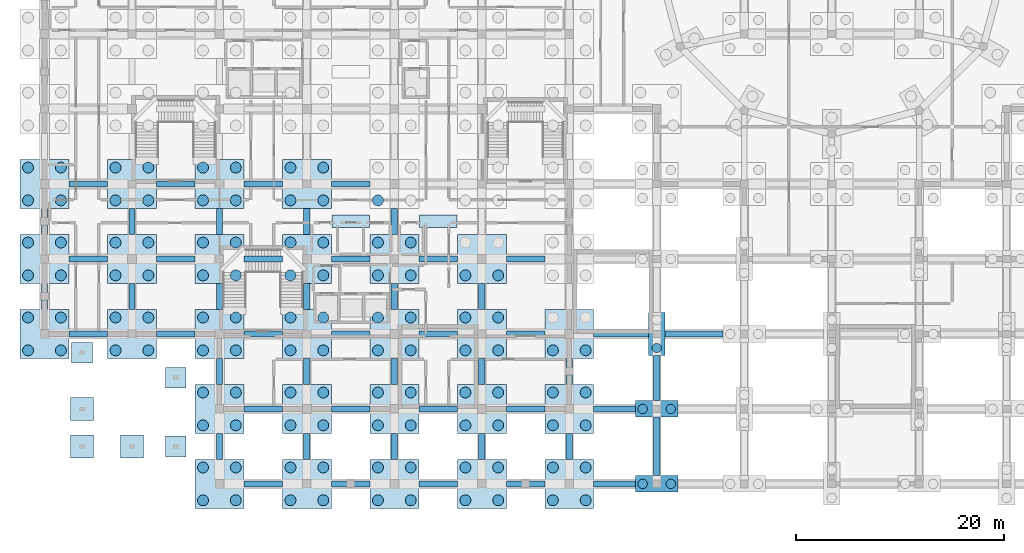
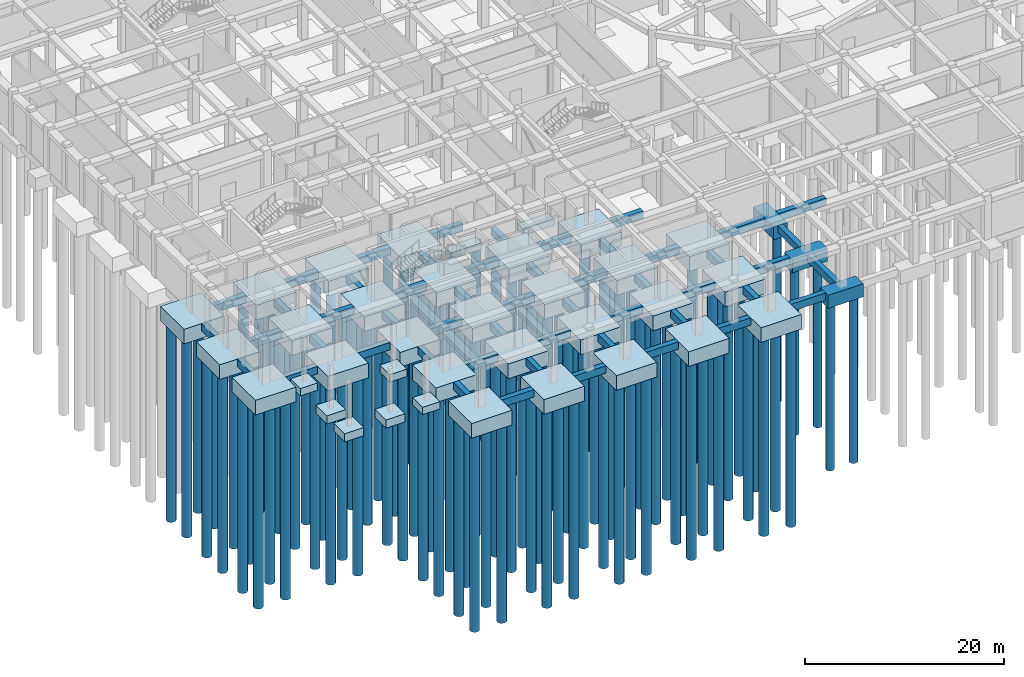
# One storey, part 1 of 32: 110 piles, 89 footings.
"""IFC4 building model written with IfcOpenShell, lengths in metres."""

from ifc_helpers import new_model, si_unit, derived_unit, direction, frame, origin, origin_2d, place, context, subcontext, project, spatial, rectangle, circle, extrude, material, material_profile, profile_set, type_object, element, save


model = new_model("IFC4")

# Units and contexts
model_context = context("Model", 3, precision=1e-05, world=origin(), true_north=direction((0.0, 1.0)))
body_context = subcontext(model_context, "Body", "Model", "MODEL_VIEW")
ifc_project = project(units=[si_unit("LENGTHUNIT", "METRE"), si_unit("AREAUNIT", "SQUARE_METRE"), si_unit("VOLUMEUNIT", "CUBIC_METRE"), si_unit("PLANEANGLEUNIT", "RADIAN"), si_unit("MASSUNIT", "GRAM", prefix="KILO"), derived_unit("THERMALTRANSMITTANCEUNIT", [(si_unit("POWERUNIT", "WATT"), 1), (si_unit("LENGTHUNIT", "METRE"), -2), (si_unit("THERMODYNAMICTEMPERATUREUNIT", "KELVIN"), -1)])], contexts=[model_context])

# Site, building, storey
site_placement = place(None, origin())
site = spatial("IfcSite", under=ifc_project, at=site_placement, CompositionType="ELEMENT")
building_placement = place(site_placement, origin())
building = spatial("IfcBuilding", under=site, at=building_placement, Name="Veybourne Emporium", CompositionType="ELEMENT")
storey_placement = place(building_placement, frame((0.0, 0.0, -5.39990234375)))
storey = spatial("IfcBuildingStorey", under=building, at=storey_placement, Name="B1", CompositionType="ELEMENT", Elevation=-5.39990234375)

# Footings
ifc_material = material(Name="Concrete C35/45", Category="concrete")
footing_type_1 = type_object("IfcFootingType", Name="GroundBeam_GB-2500", PredefinedType="FOOTING_BEAM", material=ifc_material)
for number, where, z_axis, x_axis, name in (
    (1, (0.0, 18.0, -0.900146484375), (0.0, 0.0, 1.0), (0.0, 1.0, 0.0), "Ground tie beam GB-2500"),
    (2, (0.0, 25.199951171875, -0.900146484375), (0.0, 0.0, 1.0), (0.0, 1.0, 0.0), "Ground tie beam GB-2500"),
    (3, (8.39990234375, 18.0, -0.900146484375), (0.0, 0.0, 1.0), (0.0, 1.0, 0.0), "Ground tie beam GB-2500"),
    (4, (8.39990234375, 25.199951171875, -0.900146484375), (0.0, 0.0, 1.0), (0.0, 1.0, 0.0), "Ground tie beam GB-2500"),
    (5, (16.800048828125, 3.60009765625, -0.900146484375), (0.0, 0.0, 1.0), (0.0, 1.0, 0.0), "Ground tie beam GB-2500"),
    (6, (16.800048828125, 10.800048828125, -0.900146484375), (0.0, 0.0, 1.0), (0.0, 1.0, 0.0), "Ground tie beam GB-2500"),
    (7, (16.800048828125, 18.0, -0.900146484375), (0.0, 0.0, 1.0), (0.0, 1.0, 0.0), "Ground tie beam GB-2500"),
    (8, (16.800048828125, 25.199951171875, -0.900146484375), (0.0, 0.0, 1.0), (0.0, 1.0, 0.0), "Ground tie beam GB-2500"),
    (9, (25.199951171875, 3.60009765625, -0.900146484375), (0.0, 0.0, 1.0), (0.0, 1.0, 0.0), "Ground tie beam GB-2500"),
    (10, (25.199951171875, 10.800048828125, -0.900146484375), (0.0, 0.0, 1.0), (0.0, 1.0, 0.0), "Ground tie beam GB-2500"),
    (11, (25.199951171875, 18.0, -0.900146484375), (0.0, 0.0, 1.0), (0.0, 1.0, 0.0), "Ground tie beam GB-2500"),
    (12, (25.199951171875, 25.199951171875, -0.900146484375), (0.0, 0.0, 1.0), (0.0, 1.0, 0.0), "Ground tie beam GB-2500"),
    (13, (33.60009765625, 3.60009765625, -0.900146484375), (0.0, 0.0, 1.0), (0.0, 1.0, 0.0), "Ground tie beam GB-2500"),
    (14, (33.60009765625, 10.800048828125, -0.900146484375), (0.0, 0.0, 1.0), (0.0, 1.0, 0.0), "Ground tie beam GB-2500"),
    (15, (33.60009765625, 18.0, -0.900146484375), (0.0, 0.0, 1.0), (0.0, 1.0, 0.0), "Ground tie beam GB-2500"),
    (16, (33.60009765625, 25.199951171875, -0.900146484375), (0.0, 0.0, 1.0), (0.0, 1.0, 0.0), "Ground tie beam GB-2500"),
    (17, (42.0, 3.60009765625, -0.900146484375), (0.0, 0.0, 1.0), (0.0, 1.0, 0.0), "Ground tie beam GB-2500"),
    (18, (42.0, 10.800048828125, -0.900146484375), (0.0, 0.0, 1.0), (0.0, 1.0, 0.0), "Ground tie beam GB-2500"),
    (19, (42.0, 18.0, -0.900146484375), (0.0, 0.0, 1.0), (0.0, 1.0, 0.0), "Ground tie beam GB-2500"),
    (20, (50.39990234375, 3.60009765625, -0.900146484375), (0.0, 0.0, 1.0), (0.0, 1.0, 0.0), "Ground tie beam GB-2500"),
    (21, (50.39990234375, 10.800048828125, -0.900146484375), (0.0, 0.0, 1.0), (0.0, 1.0, 0.0), "Ground tie beam GB-2500"),
):
    element("IfcFooting", number, at=place(storey_placement, frame(where, z_axis=z_axis, x_axis=x_axis)), inside=storey, type_object=footing_type_1, Name=name, PredefinedType="FOOTING_BEAM", context=body_context, shape_type="SweptSolid", body=[
        extrude(rectangle(XDim=2.5, YDim=0.60009765625, at=origin_2d()), origin(), (0.0, 0.0, 1.0), 0.89990234375),
    ])
footing_type_2 = type_object("IfcFootingType", Name="GroundBeam_GB-3700", PredefinedType="FOOTING_BEAM", material=ifc_material)
for number, where, z_axis, x_axis, name in (
    (22, (4.199951171875, 14.39990234375, -0.900146484375), (0.0, 0.0, 1.0), (1.0, 0.0, 0.0), "Ground tie beam GB-3700"),
    (23, (4.199951171875, 21.60009765625, -0.900146484375), (0.0, 0.0, 1.0), (1.0, 0.0, 0.0), "Ground tie beam GB-3700"),
    (24, (4.199951171875, 28.800048828125, -0.900146484375), (0.0, 0.0, 1.0), (1.0, 0.0, 0.0), "Ground tie beam GB-3700"),
    (25, (12.60009765625, 14.39990234375, -0.900146484375), (0.0, 0.0, 1.0), (1.0, 0.0, 0.0), "Ground tie beam GB-3700"),
    (26, (12.60009765625, 21.60009765625, -0.900146484375), (0.0, 0.0, 1.0), (1.0, 0.0, 0.0), "Ground tie beam GB-3700"),
    (27, (12.60009765625, 28.800048828125, -0.900146484375), (0.0, 0.0, 1.0), (1.0, 0.0, 0.0), "Ground tie beam GB-3700"),
    (28, (21.0, 0.0, -0.900146484375), (0.0, 0.0, 1.0), (1.0, 0.0, 0.0), "Ground tie beam GB-3700"),
    (29, (21.0, 7.199951171875, -0.900146484375), (0.0, 0.0, 1.0), (1.0, 0.0, 0.0), "Ground tie beam GB-3700"),
    (30, (21.0, 14.39990234375, -0.900146484375), (0.0, 0.0, 1.0), (1.0, 0.0, 0.0), "Ground tie beam GB-3700"),
    (31, (21.0, 21.60009765625, -0.900146484375), (0.0, 0.0, 1.0), (1.0, 0.0, 0.0), "Ground tie beam GB-3700"),
    (32, (21.0, 28.800048828125, -0.900146484375), (0.0, 0.0, 1.0), (1.0, 0.0, 0.0), "Ground tie beam GB-3700"),
    (33, (29.39990234375, 0.0, -0.900146484375), (0.0, 0.0, 1.0), (1.0, 0.0, 0.0), "Ground tie beam GB-3700"),
    (34, (29.39990234375, 7.199951171875, -0.900146484375), (0.0, 0.0, 1.0), (1.0, 0.0, 0.0), "Ground tie beam GB-3700"),
    (35, (29.39990234375, 14.39990234375, -0.900146484375), (0.0, 0.0, 1.0), (1.0, 0.0, 0.0), "Ground tie beam GB-3700"),
    (36, (29.39990234375, 21.60009765625, -0.900146484375), (0.0, 0.0, 1.0), (1.0, 0.0, 0.0), "Ground tie beam GB-3700"),
    (37, (29.39990234375, 28.800048828125, -0.900146484375), (0.0, 0.0, 1.0), (1.0, 0.0, 0.0), "Ground tie beam GB-3700"),
    (38, (37.800048828125, 0.0, -0.900146484375), (0.0, 0.0, 1.0), (1.0, 0.0, 0.0), "Ground tie beam GB-3700"),
    (39, (37.800048828125, 7.199951171875, -0.900146484375), (0.0, 0.0, 1.0), (1.0, 0.0, 0.0), "Ground tie beam GB-3700"),
    (40, (37.800048828125, 14.39990234375, -0.900146484375), (0.0, 0.0, 1.0), (1.0, 0.0, 0.0), "Ground tie beam GB-3700"),
    (41, (37.800048828125, 21.60009765625, -0.900146484375), (0.0, 0.0, 1.0), (1.0, 0.0, 0.0), "Ground tie beam GB-3700"),
    (42, (46.199951171875, 0.0, -0.900146484375), (0.0, 0.0, 1.0), (1.0, 0.0, 0.0), "Ground tie beam GB-3700"),
    (43, (46.199951171875, 7.199951171875, -0.900146484375), (0.0, 0.0, 1.0), (1.0, 0.0, 0.0), "Ground tie beam GB-3700"),
    (44, (46.199951171875, 14.39990234375, -0.900146484375), (0.0, 0.0, 1.0), (1.0, 0.0, 0.0), "Ground tie beam GB-3700"),
    (45, (46.199951171875, 21.60009765625, -0.900146484375), (0.0, 0.0, 1.0), (1.0, 0.0, 0.0), "Ground tie beam GB-3700"),
):
    element("IfcFooting", number, at=place(storey_placement, frame(where, z_axis=z_axis, x_axis=x_axis)), inside=storey, type_object=footing_type_2, Name=name, PredefinedType="FOOTING_BEAM", context=body_context, shape_type="SweptSolid", body=[
        extrude(rectangle(XDim=3.699951171875, YDim=0.60009765625, at=origin_2d()), origin(), (0.0, 0.0, 1.0), 0.89990234375),
    ])
footing_type_3 = type_object("IfcFootingType", Name="GroundBeam_GB-4000", PredefinedType="FOOTING_BEAM", material=ifc_material)
for number, where, z_axis, x_axis, name in (
    (46, (54.75, 0.0, -0.900146484375), (0.0, 0.0, 1.0), (1.0, 0.0, 0.0), "Ground tie beam GB-4000"),
    (47, (54.75, 7.199951171875, -0.900146484375), (0.0, 0.0, 1.0), (1.0, 0.0, 0.0), "Ground tie beam GB-4000"),
):
    element("IfcFooting", number, at=place(storey_placement, frame(where, z_axis=z_axis, x_axis=x_axis)), inside=storey, type_object=footing_type_3, Name=name, PredefinedType="FOOTING_BEAM", context=body_context, shape_type="SweptSolid", body=[
        extrude(rectangle(XDim=4.0, YDim=0.60009765625, at=origin_2d()), origin(), (0.0, 0.0, 1.0), 0.89990234375),
    ])
footing_type_4 = type_object("IfcFootingType", Name="GroundBeam_GB-4350", PredefinedType="FOOTING_BEAM", material=ifc_material)
footing_1_placement = place(storey_placement, frame((58.800048828125, 10.175048828125, -0.900146484375), z_axis=(0.0, 0.0, 1.0), x_axis=(0.0, 1.0, 0.0)))
element("IfcFooting", 48, at=footing_1_placement, inside=storey, type_object=footing_type_4, Name="Ground tie beam GB-4350", PredefinedType="FOOTING_BEAM", context=body_context, shape_type="SweptSolid", body=[
    extrude(rectangle(XDim=4.35009765625, YDim=0.60009765625, at=origin_2d()), origin(), (0.0, 0.0, 1.0), 0.89990234375),
])
footing_type_5 = type_object("IfcFootingType", Name="GroundBeam_GB-5250", PredefinedType="FOOTING_BEAM", material=ifc_material)
footing_2_placement = place(storey_placement, frame((55.375, 14.39990234375, -0.900146484375), z_axis=(0.0, 0.0, 1.0), x_axis=(1.0, 0.0, 0.0)))
element("IfcFooting", 49, at=footing_2_placement, inside=storey, type_object=footing_type_5, Name="Ground tie beam GB-5250", PredefinedType="FOOTING_BEAM", context=body_context, shape_type="SweptSolid", body=[
    extrude(rectangle(XDim=5.25, YDim=0.60009765625, at=origin_2d()), origin(), (0.0, 0.0, 1.0), 0.89990234375),
])
footing_type_6 = type_object("IfcFootingType", Name="GroundBeam_GB-5550", PredefinedType="FOOTING_BEAM", material=ifc_material)
footing_3_placement = place(storey_placement, frame((62.375, 14.39990234375, -0.900146484375), z_axis=(0.0, 0.0, 1.0), x_axis=(1.0, 0.0, 0.0)))
element("IfcFooting", 50, at=footing_3_placement, inside=storey, type_object=footing_type_6, Name="Ground tie beam GB-5550", PredefinedType="FOOTING_BEAM", context=body_context, shape_type="SweptSolid", body=[
    extrude(rectangle(XDim=5.550048828125, YDim=0.60009765625, at=origin_2d()), origin(), (0.0, 0.0, 1.0), 0.89990234375),
])
footing_type_7 = type_object("IfcFootingType", Name="GroundBeam_GB-5600", PredefinedType="FOOTING_BEAM", material=ifc_material)
footing_4_placement = place(storey_placement, frame((58.800048828125, 3.60009765625, -0.900146484375), z_axis=(0.0, 0.0, 1.0), x_axis=(0.0, 1.0, 0.0)))
element("IfcFooting", 51, at=footing_4_placement, inside=storey, type_object=footing_type_7, Name="Ground tie beam GB-5600", PredefinedType="FOOTING_BEAM", context=body_context, shape_type="SweptSolid", body=[
    extrude(rectangle(XDim=5.60009765625, YDim=0.60009765625, at=origin_2d()), origin(), (0.0, 0.0, 1.0), 0.89990234375),
])
footing_type_8 = type_object("IfcFootingType", Name="PadFooting_PF-01", PredefinedType="PAD_FOOTING", material=ifc_material)
for number, where, z_axis, x_axis, name in (
    (52, (12.60009765625, 3.60009765625, -0.900146484375), (0.0, 0.0, 1.0), (1.0, 0.0, 0.0), "Pad footing PF-01-01"),
    (53, (12.60009765625, 10.199951171875, -0.900146484375), (0.0, 0.0, 1.0), (1.0, 0.0, 0.0), "Pad footing PF-01-02"),
    (54, (3.60009765625, 12.60009765625, -0.900146484375), (0.0, 0.0, 1.0), (1.0, 0.0, 0.0), "Pad footing PF-01-03"),
):
    element("IfcFooting", number, at=place(storey_placement, frame(where, z_axis=z_axis, x_axis=x_axis)), inside=storey, type_object=footing_type_8, Name=name, PredefinedType="PAD_FOOTING", context=body_context, shape_type="SweptSolid", body=[
        extrude(rectangle(XDim=2.0, YDim=2.0, at=origin_2d()), origin(), (0.0, 0.0, 1.0), 0.89990234375),
    ])
footing_type_9 = type_object("IfcFootingType", Name="PadFooting_PF-02", PredefinedType="PAD_FOOTING", material=ifc_material)
for number, where, z_axis, x_axis, name in (
    (55, (3.60009765625, 7.199951171875, -1.0), (0.0, 0.0, 1.0), (1.0, 0.0, 0.0), "Pad footing PF-02-04"),
    (56, (3.60009765625, 3.60009765625, -1.0), (0.0, 0.0, 1.0), (1.0, 0.0, 0.0), "Pad footing PF-02-05"),
    (57, (8.39990234375, 3.60009765625, -1.0), (0.0, 0.0, 1.0), (1.0, 0.0, 0.0), "Pad footing PF-02-06"),
):
    element("IfcFooting", number, at=place(storey_placement, frame(where, z_axis=z_axis, x_axis=x_axis)), inside=storey, type_object=footing_type_9, Name=name, PredefinedType="PAD_FOOTING", context=body_context, shape_type="SweptSolid", body=[
        extrude(rectangle(XDim=2.199951171875, YDim=2.199951171875, at=origin_2d()), origin(), (0.0, 0.0, 1.0), 1.0),
    ])
footing_type_10 = type_object("IfcFootingType", Name="PileCap_PC-02", PredefinedType="PILE_CAP", material=ifc_material)
for number, where, z_axis, x_axis, name in (
    (58, (58.800048828125, 0.0, -1.60009765625), (0.0, 0.0, 1.0), (1.0, 0.0, 0.0), "Pile cap PC-02 at grid (7,0)"),
    (59, (58.800048828125, 7.199951171875, -1.60009765625), (0.0, 0.0, 1.0), (1.0, 0.0, 0.0), "Pile cap PC-02 at grid (7,1)"),
):
    element("IfcFooting", number, at=place(storey_placement, frame(where, z_axis=z_axis, x_axis=x_axis)), inside=storey, type_object=footing_type_10, Name=name, PredefinedType="PILE_CAP", context=body_context, shape_type="SweptSolid", body=[
        extrude(rectangle(XDim=4.10009765625, YDim=1.60009765625, at=origin_2d()), origin(), (0.0, 0.0, 1.0), 1.60009765625),
    ])
footing_type_11 = type_object("IfcFootingType", Name="PileCap_PC-03", PredefinedType="PILE_CAP", material=ifc_material)
footing_5_placement = place(storey_placement, frame((58.800048828125, 14.39990234375, -1.60009765625), z_axis=(0.0, 0.0, 1.0), x_axis=(1.0, 0.0, 0.0)))
element("IfcFooting", 60, at=footing_5_placement, inside=storey, type_object=footing_type_11, Name="Pile cap PC-03 at grid (7,2)", PredefinedType="PILE_CAP", context=body_context, shape_type="SweptSolid", body=[
    extrude(rectangle(XDim=1.60009765625, YDim=4.10009765625, at=origin_2d()), origin(), (0.0, 0.0, 1.0), 1.60009765625),
])
footing_type_12 = type_object("IfcFootingType", Name="PileCap_PC-05", PredefinedType="PILE_CAP", material=ifc_material)
for number, where, z_axis, x_axis, name in (
    (61, (0.0, 14.39990234375, -1.80029296875), (0.0, 0.0, 1.0), (1.0, 0.0, 0.0), "Pile cap PC-05 at grid (0,2)"),
    (62, (0.0, 21.60009765625, -1.80029296875), (0.0, 0.0, 1.0), (1.0, 0.0, 0.0), "Pile cap PC-05 at grid (0,3)"),
    (63, (0.0, 28.800048828125, -1.80029296875), (0.0, 0.0, 1.0), (1.0, 0.0, 0.0), "Pile cap PC-05 at grid (0,4)"),
    (64, (8.39990234375, 14.39990234375, -1.80029296875), (0.0, 0.0, 1.0), (1.0, 0.0, 0.0), "Pile cap PC-05 at grid (1,2)"),
    (65, (8.39990234375, 21.60009765625, -1.80029296875), (0.0, 0.0, 1.0), (1.0, 0.0, 0.0), "Pile cap PC-05 at grid (1,3)"),
    (66, (8.39990234375, 28.800048828125, -1.80029296875), (0.0, 0.0, 1.0), (1.0, 0.0, 0.0), "Pile cap PC-05 at grid (1,4)"),
    (67, (16.800048828125, 0.0, -1.80029296875), (0.0, 0.0, 1.0), (1.0, 0.0, 0.0), "Pile cap PC-05 at grid (2,0)"),
    (68, (16.800048828125, 7.199951171875, -1.80029296875), (0.0, 0.0, 1.0), (1.0, 0.0, 0.0), "Pile cap PC-05 at grid (2,1)"),
    (69, (16.800048828125, 14.39990234375, -1.80029296875), (0.0, 0.0, 1.0), (1.0, 0.0, 0.0), "Pile cap PC-05 at grid (2,2)"),
    (70, (16.800048828125, 21.60009765625, -1.80029296875), (0.0, 0.0, 1.0), (1.0, 0.0, 0.0), "Pile cap PC-05 at grid (2,3)"),
    (71, (16.800048828125, 28.800048828125, -1.80029296875), (0.0, 0.0, 1.0), (1.0, 0.0, 0.0), "Pile cap PC-05 at grid (2,4)"),
    (72, (25.199951171875, 0.0, -1.80029296875), (0.0, 0.0, 1.0), (1.0, 0.0, 0.0), "Pile cap PC-05 at grid (3,0)"),
    (73, (25.199951171875, 7.199951171875, -1.80029296875), (0.0, 0.0, 1.0), (1.0, 0.0, 0.0), "Pile cap PC-05 at grid (3,1)"),
    (74, (25.199951171875, 14.39990234375, -1.80029296875), (0.0, 0.0, 1.0), (1.0, 0.0, 0.0), "Pile cap PC-05 at grid (3,2)"),
    (75, (25.199951171875, 21.60009765625, -1.80029296875), (0.0, 0.0, 1.0), (1.0, 0.0, 0.0), "Pile cap PC-05 at grid (3,3)"),
    (76, (25.199951171875, 28.800048828125, -1.80029296875), (0.0, 0.0, 1.0), (1.0, 0.0, 0.0), "Pile cap PC-05 at grid (3,4)"),
    (77, (33.60009765625, 0.0, -1.80029296875), (0.0, 0.0, 1.0), (1.0, 0.0, 0.0), "Pile cap PC-05 at grid (4,0)"),
    (78, (33.60009765625, 7.199951171875, -1.80029296875), (0.0, 0.0, 1.0), (1.0, 0.0, 0.0), "Pile cap PC-05 at grid (4,1)"),
    (79, (33.60009765625, 14.39990234375, -1.80029296875), (0.0, 0.0, 1.0), (1.0, 0.0, 0.0), "Pile cap PC-05 at grid (4,2)"),
    (80, (33.60009765625, 21.60009765625, -1.80029296875), (0.0, 0.0, 1.0), (1.0, 0.0, 0.0), "Pile cap PC-05 at grid (4,3)"),
    (81, (42.0, 0.0, -1.80029296875), (0.0, 0.0, 1.0), (1.0, 0.0, 0.0), "Pile cap PC-05 at grid (5,0)"),
    (82, (42.0, 7.199951171875, -1.80029296875), (0.0, 0.0, 1.0), (1.0, 0.0, 0.0), "Pile cap PC-05 at grid (5,1)"),
    (83, (42.0, 14.39990234375, -1.80029296875), (0.0, 0.0, 1.0), (1.0, 0.0, 0.0), "Pile cap PC-05 at grid (5,2)"),
    (84, (42.0, 21.60009765625, -1.80029296875), (0.0, 0.0, 1.0), (1.0, 0.0, 0.0), "Pile cap PC-05 at grid (5,3)"),
    (85, (50.39990234375, 0.0, -1.80029296875), (0.0, 0.0, 1.0), (1.0, 0.0, 0.0), "Pile cap PC-05 at grid (6,0)"),
    (86, (50.39990234375, 7.199951171875, -1.80029296875), (0.0, 0.0, 1.0), (1.0, 0.0, 0.0), "Pile cap PC-05 at grid (6,1)"),
    (87, (50.39990234375, 14.39990234375, -1.80029296875), (0.0, 0.0, 1.0), (1.0, 0.0, 0.0), "Pile cap PC-05 at grid (6,2)"),
):
    element("IfcFooting", number, at=place(storey_placement, frame(where, z_axis=z_axis, x_axis=x_axis)), inside=storey, type_object=footing_type_12, Name=name, PredefinedType="PILE_CAP", context=body_context, shape_type="SweptSolid", body=[
        extrude(rectangle(XDim=4.699951171875, YDim=4.699951171875, at=origin_2d()), origin(), (0.0, 0.0, 1.0), 1.800048828125),
    ])

# Piles
ifc_material_profile_1 = material_profile(ifc_material, circle(Radius=0.52490234375, at=origin_2d()), Name="BORED PILE 1050")
ifc_profile_set_1 = profile_set([ifc_material_profile_1], Name="Concrete C35/45")
pile_type_1 = type_object("IfcPileType", Name="Pile_P-02", PredefinedType="BORED", material=ifc_profile_set_1)
for number, where, z_axis, x_axis, name in (
    (88, (-1.574951171875, 12.824951171875, -1.650146484375), (0.0, 0.0, -1.0), (1.0, 0.0, 0.0), "Bored pile P-02-001"),
    (89, (1.574951171875, 12.824951171875, -1.650146484375), (0.0, 0.0, -1.0), (1.0, 0.0, 0.0), "Bored pile P-02-002"),
    (90, (-1.574951171875, 15.97509765625, -1.650146484375), (0.0, 0.0, -1.0), (1.0, 0.0, 0.0), "Bored pile P-02-003"),
    (91, (1.574951171875, 15.97509765625, -1.650146484375), (0.0, 0.0, -1.0), (1.0, 0.0, 0.0), "Bored pile P-02-004"),
    (92, (-1.574951171875, 20.02490234375, -1.650146484375), (0.0, 0.0, -1.0), (1.0, 0.0, 0.0), "Bored pile P-02-005"),
    (93, (1.574951171875, 20.02490234375, -1.650146484375), (0.0, 0.0, -1.0), (1.0, 0.0, 0.0), "Bored pile P-02-006"),
    (94, (-1.574951171875, 23.175048828125, -1.650146484375), (0.0, 0.0, -1.0), (1.0, 0.0, 0.0), "Bored pile P-02-007"),
    (95, (1.574951171875, 23.175048828125, -1.650146484375), (0.0, 0.0, -1.0), (1.0, 0.0, 0.0), "Bored pile P-02-008"),
    (96, (-1.574951171875, 27.22509765625, -1.650146484375), (0.0, 0.0, -1.0), (1.0, 0.0, 0.0), "Bored pile P-02-009"),
    (97, (1.574951171875, 27.22509765625, -1.650146484375), (0.0, 0.0, -1.0), (1.0, 0.0, 0.0), "Bored pile P-02-010"),
    (98, (-1.574951171875, 30.375, -1.650146484375), (0.0, 0.0, -1.0), (1.0, 0.0, 0.0), "Bored pile P-02-011"),
    (99, (1.574951171875, 30.375, -1.650146484375), (0.0, 0.0, -1.0), (1.0, 0.0, 0.0), "Bored pile P-02-012"),
    (100, (6.824951171875, 12.824951171875, -1.650146484375), (0.0, 0.0, -1.0), (1.0, 0.0, 0.0), "Bored pile P-02-033"),
    (101, (9.97509765625, 12.824951171875, -1.650146484375), (0.0, 0.0, -1.0), (1.0, 0.0, 0.0), "Bored pile P-02-034"),
    (102, (6.824951171875, 15.97509765625, -1.650146484375), (0.0, 0.0, -1.0), (1.0, 0.0, 0.0), "Bored pile P-02-035"),
    (103, (9.97509765625, 15.97509765625, -1.650146484375), (0.0, 0.0, -1.0), (1.0, 0.0, 0.0), "Bored pile P-02-036"),
    (104, (6.824951171875, 20.02490234375, -1.650146484375), (0.0, 0.0, -1.0), (1.0, 0.0, 0.0), "Bored pile P-02-037"),
    (105, (9.97509765625, 20.02490234375, -1.650146484375), (0.0, 0.0, -1.0), (1.0, 0.0, 0.0), "Bored pile P-02-038"),
    (106, (6.824951171875, 23.175048828125, -1.650146484375), (0.0, 0.0, -1.0), (1.0, 0.0, 0.0), "Bored pile P-02-039"),
    (107, (9.97509765625, 23.175048828125, -1.650146484375), (0.0, 0.0, -1.0), (1.0, 0.0, 0.0), "Bored pile P-02-040"),
    (108, (15.22509765625, -1.574951171875, -1.650146484375), (0.0, 0.0, -1.0), (1.0, 0.0, 0.0), "Bored pile P-02-065"),
    (109, (18.375, -1.574951171875, -1.650146484375), (0.0, 0.0, -1.0), (1.0, 0.0, 0.0), "Bored pile P-02-066"),
    (110, (15.22509765625, 1.574951171875, -1.650146484375), (0.0, 0.0, -1.0), (1.0, 0.0, 0.0), "Bored pile P-02-067"),
    (111, (18.375, 1.574951171875, -1.650146484375), (0.0, 0.0, -1.0), (1.0, 0.0, 0.0), "Bored pile P-02-068"),
    (112, (15.22509765625, 5.625, -1.650146484375), (0.0, 0.0, -1.0), (1.0, 0.0, 0.0), "Bored pile P-02-069"),
    (113, (18.375, 5.625, -1.650146484375), (0.0, 0.0, -1.0), (1.0, 0.0, 0.0), "Bored pile P-02-070"),
    (114, (15.22509765625, 8.77490234375, -1.650146484375), (0.0, 0.0, -1.0), (1.0, 0.0, 0.0), "Bored pile P-02-071"),
    (115, (18.375, 8.77490234375, -1.650146484375), (0.0, 0.0, -1.0), (1.0, 0.0, 0.0), "Bored pile P-02-072"),
    (116, (23.625, -1.574951171875, -1.650146484375), (0.0, 0.0, -1.0), (1.0, 0.0, 0.0), "Bored pile P-02-117"),
    (117, (26.77490234375, -1.574951171875, -1.650146484375), (0.0, 0.0, -1.0), (1.0, 0.0, 0.0), "Bored pile P-02-118"),
    (118, (23.625, 1.574951171875, -1.650146484375), (0.0, 0.0, -1.0), (1.0, 0.0, 0.0), "Bored pile P-02-119"),
    (119, (26.77490234375, 1.574951171875, -1.650146484375), (0.0, 0.0, -1.0), (1.0, 0.0, 0.0), "Bored pile P-02-120"),
    (120, (23.625, 5.625, -1.650146484375), (0.0, 0.0, -1.0), (1.0, 0.0, 0.0), "Bored pile P-02-121"),
    (121, (26.77490234375, 5.625, -1.650146484375), (0.0, 0.0, -1.0), (1.0, 0.0, 0.0), "Bored pile P-02-122"),
    (122, (23.625, 8.77490234375, -1.650146484375), (0.0, 0.0, -1.0), (1.0, 0.0, 0.0), "Bored pile P-02-123"),
    (123, (26.77490234375, 8.77490234375, -1.650146484375), (0.0, 0.0, -1.0), (1.0, 0.0, 0.0), "Bored pile P-02-124"),
    (124, (23.625, 27.22509765625, -1.650146484375), (0.0, 0.0, -1.0), (1.0, 0.0, 0.0), "Bored pile P-02-133"),
    (125, (26.77490234375, 27.22509765625, -1.650146484375), (0.0, 0.0, -1.0), (1.0, 0.0, 0.0), "Bored pile P-02-134"),
    (126, (23.625, 30.375, -1.650146484375), (0.0, 0.0, -1.0), (1.0, 0.0, 0.0), "Bored pile P-02-135"),
    (127, (26.77490234375, 30.375, -1.650146484375), (0.0, 0.0, -1.0), (1.0, 0.0, 0.0), "Bored pile P-02-136"),
    (128, (32.02490234375, -1.574951171875, -1.650146484375), (0.0, 0.0, -1.0), (1.0, 0.0, 0.0), "Bored pile P-02-169"),
    (129, (35.175048828125, -1.574951171875, -1.650146484375), (0.0, 0.0, -1.0), (1.0, 0.0, 0.0), "Bored pile P-02-170"),
    (130, (32.02490234375, 1.574951171875, -1.650146484375), (0.0, 0.0, -1.0), (1.0, 0.0, 0.0), "Bored pile P-02-171"),
    (131, (35.175048828125, 1.574951171875, -1.650146484375), (0.0, 0.0, -1.0), (1.0, 0.0, 0.0), "Bored pile P-02-172"),
    (132, (32.02490234375, 5.625, -1.650146484375), (0.0, 0.0, -1.0), (1.0, 0.0, 0.0), "Bored pile P-02-173"),
    (133, (35.175048828125, 5.625, -1.650146484375), (0.0, 0.0, -1.0), (1.0, 0.0, 0.0), "Bored pile P-02-174"),
    (134, (32.02490234375, 8.77490234375, -1.650146484375), (0.0, 0.0, -1.0), (1.0, 0.0, 0.0), "Bored pile P-02-175"),
    (135, (35.175048828125, 8.77490234375, -1.650146484375), (0.0, 0.0, -1.0), (1.0, 0.0, 0.0), "Bored pile P-02-176"),
    (136, (32.02490234375, 27.22509765625, -1.650146484375), (0.0, 0.0, -1.0), (1.0, 0.0, 0.0), "Bored pile P-02-185"),
    (137, (40.425048828125, -1.574951171875, -1.650146484375), (0.0, 0.0, -1.0), (1.0, 0.0, 0.0), "Bored pile P-02-229"),
    (138, (43.574951171875, -1.574951171875, -1.650146484375), (0.0, 0.0, -1.0), (1.0, 0.0, 0.0), "Bored pile P-02-230"),
    (139, (40.425048828125, 1.574951171875, -1.650146484375), (0.0, 0.0, -1.0), (1.0, 0.0, 0.0), "Bored pile P-02-231"),
    (140, (43.574951171875, 1.574951171875, -1.650146484375), (0.0, 0.0, -1.0), (1.0, 0.0, 0.0), "Bored pile P-02-232"),
    (141, (40.425048828125, 5.625, -1.650146484375), (0.0, 0.0, -1.0), (1.0, 0.0, 0.0), "Bored pile P-02-233"),
    (142, (43.574951171875, 5.625, -1.650146484375), (0.0, 0.0, -1.0), (1.0, 0.0, 0.0), "Bored pile P-02-234"),
    (143, (40.425048828125, 8.77490234375, -1.650146484375), (0.0, 0.0, -1.0), (1.0, 0.0, 0.0), "Bored pile P-02-235"),
    (144, (43.574951171875, 8.77490234375, -1.650146484375), (0.0, 0.0, -1.0), (1.0, 0.0, 0.0), "Bored pile P-02-236"),
    (145, (40.425048828125, 12.824951171875, -1.650146484375), (0.0, 0.0, -1.0), (1.0, 0.0, 0.0), "Bored pile P-02-237"),
    (146, (43.574951171875, 12.824951171875, -1.650146484375), (0.0, 0.0, -1.0), (1.0, 0.0, 0.0), "Bored pile P-02-238"),
    (147, (40.425048828125, 15.97509765625, -1.650146484375), (0.0, 0.0, -1.0), (1.0, 0.0, 0.0), "Bored pile P-02-239"),
    (148, (43.574951171875, 15.97509765625, -1.650146484375), (0.0, 0.0, -1.0), (1.0, 0.0, 0.0), "Bored pile P-02-240"),
    (149, (40.425048828125, 20.02490234375, -1.650146484375), (0.0, 0.0, -1.0), (1.0, 0.0, 0.0), "Bored pile P-02-241"),
    (150, (43.574951171875, 20.02490234375, -1.650146484375), (0.0, 0.0, -1.0), (1.0, 0.0, 0.0), "Bored pile P-02-242"),
    (151, (48.824951171875, -1.574951171875, -1.650146484375), (0.0, 0.0, -1.0), (1.0, 0.0, 0.0), "Bored pile P-02-291"),
    (152, (51.97509765625, -1.574951171875, -1.650146484375), (0.0, 0.0, -1.0), (1.0, 0.0, 0.0), "Bored pile P-02-292"),
    (153, (48.824951171875, 1.574951171875, -1.650146484375), (0.0, 0.0, -1.0), (1.0, 0.0, 0.0), "Bored pile P-02-293"),
    (154, (51.97509765625, 1.574951171875, -1.650146484375), (0.0, 0.0, -1.0), (1.0, 0.0, 0.0), "Bored pile P-02-294"),
    (155, (48.824951171875, 5.625, -1.650146484375), (0.0, 0.0, -1.0), (1.0, 0.0, 0.0), "Bored pile P-02-295"),
    (156, (51.97509765625, 5.625, -1.650146484375), (0.0, 0.0, -1.0), (1.0, 0.0, 0.0), "Bored pile P-02-296"),
    (157, (48.824951171875, 8.77490234375, -1.650146484375), (0.0, 0.0, -1.0), (1.0, 0.0, 0.0), "Bored pile P-02-297"),
    (158, (51.97509765625, 8.77490234375, -1.650146484375), (0.0, 0.0, -1.0), (1.0, 0.0, 0.0), "Bored pile P-02-298"),
    (159, (48.824951171875, 12.824951171875, -1.650146484375), (0.0, 0.0, -1.0), (1.0, 0.0, 0.0), "Bored pile P-02-299"),
    (160, (51.97509765625, 12.824951171875, -1.650146484375), (0.0, 0.0, -1.0), (1.0, 0.0, 0.0), "Bored pile P-02-300"),
):
    element("IfcPile", number, at=place(storey_placement, frame(where, z_axis=z_axis, x_axis=x_axis)), inside=storey, type_object=pile_type_1, Name=name, PredefinedType="BORED", context=body_context, shape_type="SweptSolid", body=[
        extrude(circle(Radius=0.52490234375, at=origin_2d()), origin(), (0.0, 0.0, 1.0), 24.35009765625),
    ])
ifc_material_profile_2 = material_profile(ifc_material, circle(Radius=0.449951171875, at=origin_2d()), Name="BORED PILE 900")
ifc_profile_set_2 = profile_set([ifc_material_profile_2], Name="Concrete C35/45")
pile_type_2 = type_object("IfcPileType", Name="Pile_P-03", PredefinedType="BORED", material=ifc_profile_set_2)
for number, where, z_axis, x_axis, name in (
    (161, (57.449951171875, 0.0, -1.4501953125), (0.0, 0.0, -1.0), (1.0, 0.0, 0.0), "Bored pile P-03-355"),
    (162, (60.14990234375, 0.0, -1.4501953125), (0.0, 0.0, -1.0), (1.0, 0.0, 0.0), "Bored pile P-03-356"),
    (163, (57.449951171875, 7.199951171875, -1.4501953125), (0.0, 0.0, -1.0), (1.0, 0.0, 0.0), "Bored pile P-03-357"),
    (164, (60.14990234375, 7.199951171875, -1.4501953125), (0.0, 0.0, -1.0), (1.0, 0.0, 0.0), "Bored pile P-03-358"),
    (165, (58.800048828125, 13.050048828125, -1.4501953125), (0.0, 0.0, -1.0), (1.0, 0.0, 0.0), "Bored pile P-03-359"),
):
    element("IfcPile", number, at=place(storey_placement, frame(where, z_axis=z_axis, x_axis=x_axis)), inside=storey, type_object=pile_type_2, Name=name, PredefinedType="BORED", context=body_context, shape_type="SweptSolid", body=[
        extrude(circle(Radius=0.449951171875, at=origin_2d()), origin(), (0.0, 0.0, 1.0), 20.550048828125),
    ])
ifc_material_profile_3 = material_profile(ifc_material, circle(Radius=0.52490234375, at=origin_2d()), Name="BORED PILE 1050")
ifc_profile_set_3 = profile_set([ifc_material_profile_3], Name="Concrete C35/45")
pile_type_3 = type_object("IfcPileType", Name="Pile_P-04", PredefinedType="BORED", material=ifc_profile_set_3)
for number, where, z_axis, x_axis, name in (
    (166, (6.824951171875, 27.22509765625, -1.650146484375), (0.0, 0.0, -1.0), (1.0, 0.0, 0.0), "Bored pile P-04-041"),
    (167, (9.97509765625, 27.22509765625, -1.650146484375), (0.0, 0.0, -1.0), (1.0, 0.0, 0.0), "Bored pile P-04-042"),
    (168, (6.824951171875, 30.375, -1.650146484375), (0.0, 0.0, -1.0), (1.0, 0.0, 0.0), "Bored pile P-04-043"),
    (169, (9.97509765625, 30.375, -1.650146484375), (0.0, 0.0, -1.0), (1.0, 0.0, 0.0), "Bored pile P-04-044"),
    (170, (15.22509765625, 12.824951171875, -1.650146484375), (0.0, 0.0, -1.0), (1.0, 0.0, 0.0), "Bored pile P-04-073"),
    (171, (18.375, 12.824951171875, -1.650146484375), (0.0, 0.0, -1.0), (1.0, 0.0, 0.0), "Bored pile P-04-074"),
    (172, (15.22509765625, 15.97509765625, -1.650146484375), (0.0, 0.0, -1.0), (1.0, 0.0, 0.0), "Bored pile P-04-075"),
    (173, (18.375, 15.97509765625, -1.650146484375), (0.0, 0.0, -1.0), (1.0, 0.0, 0.0), "Bored pile P-04-076"),
    (174, (15.22509765625, 20.02490234375, -1.650146484375), (0.0, 0.0, -1.0), (1.0, 0.0, 0.0), "Bored pile P-04-077"),
    (175, (18.375, 20.02490234375, -1.650146484375), (0.0, 0.0, -1.0), (1.0, 0.0, 0.0), "Bored pile P-04-078"),
    (176, (15.22509765625, 23.175048828125, -1.650146484375), (0.0, 0.0, -1.0), (1.0, 0.0, 0.0), "Bored pile P-04-079"),
    (177, (18.375, 23.175048828125, -1.650146484375), (0.0, 0.0, -1.0), (1.0, 0.0, 0.0), "Bored pile P-04-080"),
    (178, (15.22509765625, 27.22509765625, -1.650146484375), (0.0, 0.0, -1.0), (1.0, 0.0, 0.0), "Bored pile P-04-081"),
    (179, (18.375, 27.22509765625, -1.650146484375), (0.0, 0.0, -1.0), (1.0, 0.0, 0.0), "Bored pile P-04-082"),
    (180, (15.22509765625, 30.375, -1.650146484375), (0.0, 0.0, -1.0), (1.0, 0.0, 0.0), "Bored pile P-04-083"),
    (181, (18.375, 30.375, -1.650146484375), (0.0, 0.0, -1.0), (1.0, 0.0, 0.0), "Bored pile P-04-084"),
    (182, (23.625, 12.824951171875, -1.650146484375), (0.0, 0.0, -1.0), (1.0, 0.0, 0.0), "Bored pile P-04-125"),
    (183, (26.77490234375, 12.824951171875, -1.650146484375), (0.0, 0.0, -1.0), (1.0, 0.0, 0.0), "Bored pile P-04-126"),
    (184, (23.625, 15.97509765625, -1.650146484375), (0.0, 0.0, -1.0), (1.0, 0.0, 0.0), "Bored pile P-04-127"),
    (185, (26.77490234375, 15.97509765625, -1.650146484375), (0.0, 0.0, -1.0), (1.0, 0.0, 0.0), "Bored pile P-04-128"),
    (186, (23.625, 20.02490234375, -1.650146484375), (0.0, 0.0, -1.0), (1.0, 0.0, 0.0), "Bored pile P-04-129"),
    (187, (26.77490234375, 20.02490234375, -1.650146484375), (0.0, 0.0, -1.0), (1.0, 0.0, 0.0), "Bored pile P-04-130"),
    (188, (23.625, 23.175048828125, -1.650146484375), (0.0, 0.0, -1.0), (1.0, 0.0, 0.0), "Bored pile P-04-131"),
    (189, (26.77490234375, 23.175048828125, -1.650146484375), (0.0, 0.0, -1.0), (1.0, 0.0, 0.0), "Bored pile P-04-132"),
    (190, (32.02490234375, 12.824951171875, -1.650146484375), (0.0, 0.0, -1.0), (1.0, 0.0, 0.0), "Bored pile P-04-177"),
    (191, (35.175048828125, 12.824951171875, -1.650146484375), (0.0, 0.0, -1.0), (1.0, 0.0, 0.0), "Bored pile P-04-178"),
    (192, (32.02490234375, 15.97509765625, -1.650146484375), (0.0, 0.0, -1.0), (1.0, 0.0, 0.0), "Bored pile P-04-179"),
    (193, (35.175048828125, 15.97509765625, -1.650146484375), (0.0, 0.0, -1.0), (1.0, 0.0, 0.0), "Bored pile P-04-180"),
    (194, (32.02490234375, 20.02490234375, -1.650146484375), (0.0, 0.0, -1.0), (1.0, 0.0, 0.0), "Bored pile P-04-181"),
    (195, (35.175048828125, 20.02490234375, -1.650146484375), (0.0, 0.0, -1.0), (1.0, 0.0, 0.0), "Bored pile P-04-182"),
    (196, (32.02490234375, 23.175048828125, -1.650146484375), (0.0, 0.0, -1.0), (1.0, 0.0, 0.0), "Bored pile P-04-183"),
    (197, (35.175048828125, 23.175048828125, -1.650146484375), (0.0, 0.0, -1.0), (1.0, 0.0, 0.0), "Bored pile P-04-184"),
):
    element("IfcPile", number, at=place(storey_placement, frame(where, z_axis=z_axis, x_axis=x_axis)), inside=storey, type_object=pile_type_3, Name=name, PredefinedType="BORED", context=body_context, shape_type="SweptSolid", body=[
        extrude(circle(Radius=0.52490234375, at=origin_2d()), origin(), (0.0, 0.0, 1.0), 24.35009765625),
    ])

# Footings
footing_type_13 = type_object("IfcFootingType", Name="StripFooting_SF-01", PredefinedType="STRIP_FOOTING", material=ifc_material)
for number, where, z_axis, x_axis, name in (
    (198, (29.39990234375, 25.199951171875, -0.80029296875), (0.0, 0.0, 1.0), (1.0, 0.0, 0.0), "Strip footing SF-01-01"),
    (199, (37.800048828125, 25.199951171875, -0.80029296875), (0.0, 0.0, 1.0), (1.0, 0.0, 0.0), "Strip footing SF-01-02"),
):
    element("IfcFooting", number, at=place(storey_placement, frame(where, z_axis=z_axis, x_axis=x_axis)), inside=storey, type_object=footing_type_13, Name=name, PredefinedType="STRIP_FOOTING", context=body_context, shape_type="SweptSolid", body=[
        extrude(rectangle(XDim=3.60009765625, YDim=1.199951171875, at=origin_2d()), origin(), (0.0, 0.0, 1.0), 0.800048828125),
    ])

save(model, "model.ifc")
